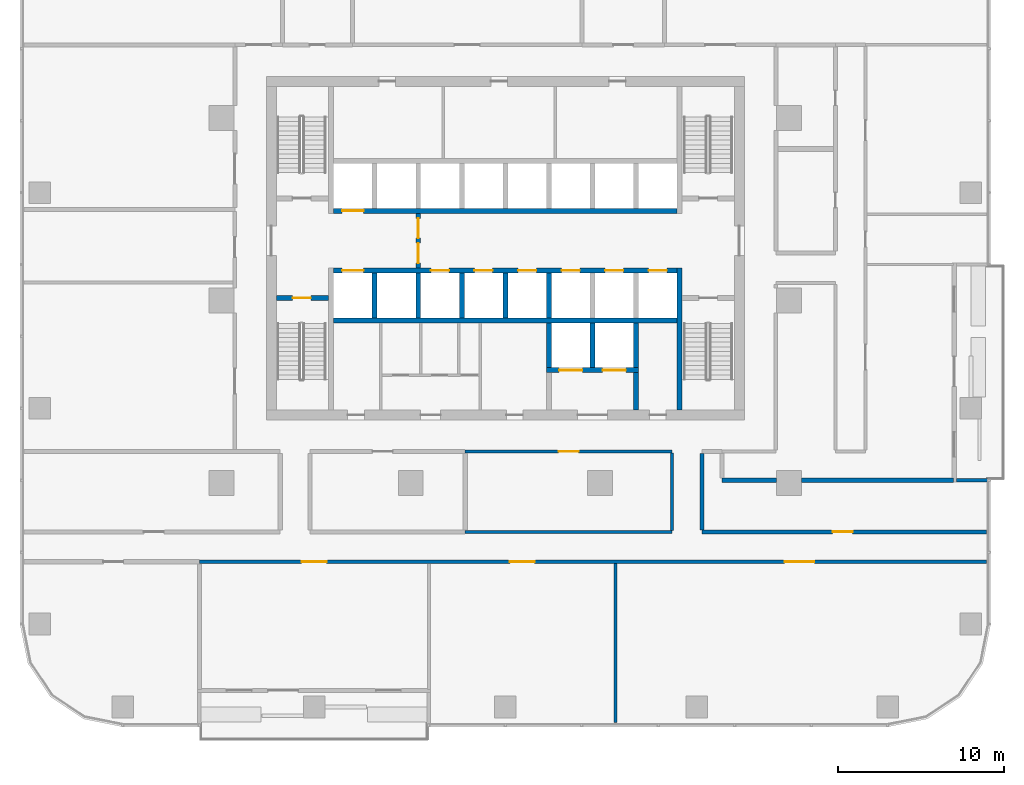
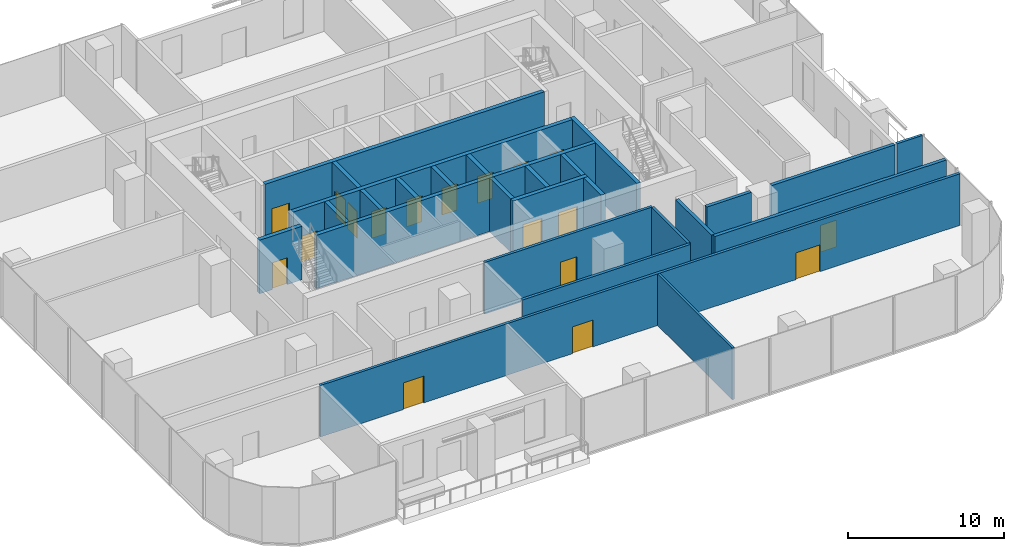
# One storey, part 8 of 14: 26 walls, 18 doors, 18 openings.
"""IFC4 building model written with IfcOpenShell, lengths in metres."""

from ifc_helpers import new_model, si_unit, direction, frame, frame_2d, origin, place, context, subcontext, project, spatial, rectangle, extrude, material, layer, layer_set, type_object, element, fill, save


model = new_model("IFC4")

# Units and contexts
model_context = context("Model", 3, precision=1e-05, world=origin(), true_north=direction((0.0, 1.0)))
body_context = subcontext(model_context, "Body", "Model", "MODEL_VIEW")
ifc_project = project(units=[si_unit("LENGTHUNIT", "METRE"), si_unit("AREAUNIT", "SQUARE_METRE"), si_unit("VOLUMEUNIT", "CUBIC_METRE"), si_unit("PLANEANGLEUNIT", "RADIAN"), si_unit("MASSUNIT", "GRAM", prefix="KILO")], contexts=[model_context])

# Site, building, storey
site_placement = place(None, origin())
site = spatial("IfcSite", under=ifc_project, at=site_placement, CompositionType="ELEMENT")
building_placement = place(site_placement, origin())
building = spatial("IfcBuilding", under=site, at=building_placement, Name="Mopane Tessera Tower", CompositionType="ELEMENT")
storey_placement = place(building_placement, frame((0.0, 0.0, 139.60009765625)))
storey = spatial("IfcBuildingStorey", under=building, at=storey_placement, Name="L28", CompositionType="ELEMENT", Elevation=139.60009765625)

# Walls
ifc_material_1 = material(Name="Concrete C60/75", Category="concrete")
ifc_layer_1 = layer(ifc_material_1, 0.300048828125)
ifc_layer_set_1 = layer_set([ifc_layer_1], Name="Concrete C60/75")
wall_type_1 = type_object("IfcWallType", Name="Core spine wall 300 mm", PredefinedType="SHEAR", material=ifc_layer_set_1)
wall_1_placement = place(storey_placement, frame((10.5, -6.60009765625, 0.0), z_axis=(0.0, 0.0, 1.0), x_axis=(0.0, 1.0, 0.0)))
element("IfcWall", 1, at=wall_1_placement, inside=storey, type_object=wall_type_1, Name="L28 Core spine wall", PredefinedType="SHEAR", context=body_context, shape_type="SweptSolid", body=[
    extrude(rectangle(XDim=8.550048828125, YDim=0.300048828125, at=frame_2d((4.27490234375, 0.0))), origin(), (0.0, 0.0, 1.0), 4.199951171875),
])
ifc_material_2 = material(Name="Gypsum board on staggered steel studs, double layer each face, acoustic mineral wool infill", Category="steel")
ifc_layer_2 = layer(ifc_material_2, 0.175048828125)
ifc_layer_set_2 = layer_set([ifc_layer_2], Name="Gypsum board on staggered steel studs, double layer each face, acoustic mineral wool infill")
wall_type_2 = type_object("IfcWallType", Name="Gypsum board acoustic partition 175, rated EI 60", PredefinedType="PARTITIONING", material=ifc_layer_set_2)
wall_2_placement = place(storey_placement, frame((6.64501953125, -25.449951171875, 0.0), z_axis=(0.0, 0.0, 1.0), x_axis=(0.0, 1.0, 0.0)))
element("IfcWall", 2, at=wall_2_placement, inside=storey, type_object=wall_type_2, Name="Partition L28:042", PredefinedType="PARTITIONING", context=body_context, shape_type="SweptSolid", body=[
    extrude(rectangle(XDim=9.599853515625, YDim=0.175048828125, at=frame_2d((4.7998046875, 0.0))), origin(), (0.0, 0.0, 1.0), 4.0498046875),
])

# Wall, openings, doors
ifc_material_3 = material(Name="Gypsum board on steel studs, two layers each face, mineral wool infill", Category="steel")
ifc_layer_3 = layer(ifc_material_3, 0.199951171875)
ifc_layer_set_3 = layer_set([ifc_layer_3], Name="Gypsum board on steel studs, two layers each face, mineral wool infill")
wall_type_3 = type_object("IfcWallType", Name="Gypsum board corridor wall 200, rated EI 60", PredefinedType="PARTITIONING", material=ifc_layer_set_3)
wall_3_placement = place(storey_placement, frame((-18.43994140625, -15.75, 0.0), z_axis=(0.0, 0.0, 1.0), x_axis=(1.0, 0.0, 0.0)))
wall_3 = element("IfcWall", 3, at=wall_3_placement, inside=storey, type_object=wall_type_3, Name="Partition L28:000", PredefinedType="PARTITIONING", context=body_context, shape_type="SweptSolid", body=[
    extrude(rectangle(XDim=47.43994140625, YDim=0.199951171875, at=frame_2d((23.719970703125, 0.0))), origin(), (0.0, 0.0, 1.0), 4.0498046875),
])
opening_1_placement = place(wall_3_placement, frame((18.70751953125, 0.0, 0.0)))
opening_1 = element("IfcOpeningElement", 4, at=opening_1_placement, cuts=wall_3, Name="Opening L28-03", PredefinedType="OPENING", context=body_context, shape_type="SweptSolid", body=[
    extrude(rectangle(XDim=1.5, YDim=2.10009765625, at=frame_2d((0.75, 1.050048828125))), frame((0.0, 0.112060546875, 0.0), z_axis=(0.0, -1.0, 0.0), x_axis=(1.0, 0.0, 0.0)), (0.0, 0.0, 1.0), 0.223876953125),
])
opening_2_placement = place(wall_3_placement, frame((6.1650390625, 0.0, 0.0)))
opening_2 = element("IfcOpeningElement", 5, at=opening_2_placement, cuts=wall_3, Name="Opening L28-12", PredefinedType="OPENING", context=body_context, shape_type="SweptSolid", body=[
    extrude(rectangle(XDim=1.5, YDim=2.10009765625, at=frame_2d((0.75, 1.050048828125))), frame((0.0, 0.112060546875, 0.0), z_axis=(0.0, -1.0, 0.0), x_axis=(1.0, 0.0, 0.0)), (0.0, 0.0, 1.0), 0.223876953125),
])
opening_3_placement = place(wall_3_placement, frame((35.262451171875, 0.0, 0.0)))
opening_3 = element("IfcOpeningElement", 6, at=opening_3_placement, cuts=wall_3, Name="Opening L28-20", PredefinedType="OPENING", context=body_context, shape_type="SweptSolid", body=[
    extrude(rectangle(XDim=1.800048828125, YDim=2.10009765625, at=frame_2d((0.89990234375, 1.050048828125))), frame((0.0, 0.112060546875, 0.0), z_axis=(0.0, -1.0, 0.0), x_axis=(1.0, 0.0, 0.0)), (0.0, 0.0, 1.0), 0.223876953125),
])
ifc_material_4 = material(Name="Timber veneered steel-framed fire door", Category="steel")
door_type_1 = type_object("IfcDoorType", Name="Fire door pair FD60 1500 x 2100", OperationType="DOUBLE_DOOR_SINGLE_SWING", PredefinedType="DOOR", material=ifc_material_4)
door_1_placement = place(opening_1_placement, origin())
door_1 = element("IfcDoor", 7, at=door_1_placement, inside=storey, type_object=door_type_1, Name="Door L28-03", ObjectType="D17A", OperationType="DOUBLE_DOOR_SINGLE_SWING", OverallHeight=2.10009765625, OverallWidth=1.5, PredefinedType="DOOR", context=body_context, shape_type="SweptSolid", body=[
    extrude(rectangle(XDim=1.5, YDim=2.10009765625, at=frame_2d((0.75, 1.050048828125))), frame((0.0, 0.02490234375, 0.0), z_axis=(0.0, -1.0, 0.0), x_axis=(1.0, 0.0, 0.0)), (0.0, 0.0, 1.0), 0.050048828125),
])
fill(opening_1, door_1)
door_2_placement = place(opening_2_placement, origin())
door_2 = element("IfcDoor", 8, at=door_2_placement, inside=storey, type_object=door_type_1, Name="Door L28-12", ObjectType="D17A", OperationType="DOUBLE_DOOR_SINGLE_SWING", OverallHeight=2.10009765625, OverallWidth=1.5, PredefinedType="DOOR", context=body_context, shape_type="SweptSolid", body=[
    extrude(rectangle(XDim=1.5, YDim=2.10009765625, at=frame_2d((0.75, 1.050048828125))), frame((0.0, 0.02490234375, 0.0), z_axis=(0.0, -1.0, 0.0), x_axis=(1.0, 0.0, 0.0)), (0.0, 0.0, 1.0), 0.050048828125),
])
fill(opening_2, door_2)
ifc_material_5 = material(Name="Timber veneered steel-framed fire door", Category="steel")
door_type_2 = type_object("IfcDoorType", Name="Fire door pair FD60 1800 x 2100", OperationType="DOUBLE_DOOR_SINGLE_SWING", PredefinedType="DOOR", material=ifc_material_5)
door_3_placement = place(opening_3_placement, origin())
door_3 = element("IfcDoor", 9, at=door_3_placement, inside=storey, type_object=door_type_2, Name="Door L28-20", ObjectType="D20A", OperationType="DOUBLE_DOOR_SINGLE_SWING", OverallHeight=2.10009765625, OverallWidth=1.800048828125, PredefinedType="DOOR", context=body_context, shape_type="SweptSolid", body=[
    extrude(rectangle(XDim=1.800048828125, YDim=2.10009765625, at=frame_2d((0.89990234375, 1.050048828125))), frame((0.0, 0.02490234375, 0.0), z_axis=(0.0, -1.0, 0.0), x_axis=(1.0, 0.0, 0.0)), (0.0, 0.0, 1.0), 0.050048828125),
])
fill(opening_3, door_3)

# Wall
wall_4_placement = place(storey_placement, frame((-2.419921875, -13.949951171875, 0.0), z_axis=(0.0, 0.0, 1.0), x_axis=(1.0, 0.0, 0.0)))
element("IfcWall", 10, at=wall_4_placement, inside=storey, type_object=wall_type_3, Name="Partition L28:002", PredefinedType="PARTITIONING", context=body_context, shape_type="SweptSolid", body=[
    extrude(rectangle(XDim=12.46484375, YDim=0.199951171875, at=frame_2d((6.232421875, 0.0))), origin(), (0.0, 0.0, 1.0), 4.0498046875),
])

# Wall, opening, door
wall_5_placement = place(storey_placement, frame((-2.419921875, -9.10009765625, 0.0), z_axis=(0.0, 0.0, 1.0), x_axis=(1.0, 0.0, 0.0)))
wall_5 = element("IfcWall", 11, at=wall_5_placement, inside=storey, type_object=wall_type_3, Name="Partition L28:008", PredefinedType="PARTITIONING", context=body_context, shape_type="SweptSolid", body=[
    extrude(rectangle(XDim=12.46484375, YDim=0.199951171875, at=frame_2d((6.232421875, 0.0))), origin(), (0.0, 0.0, 1.0), 4.0498046875),
])
opening_4_placement = place(wall_5_placement, frame((5.632568359375, 0.0, 0.0)))
opening_4 = element("IfcOpeningElement", 12, at=opening_4_placement, cuts=wall_5, Name="Opening L28-18", PredefinedType="OPENING", context=body_context, shape_type="SweptSolid", body=[
    extrude(rectangle(XDim=1.199951171875, YDim=2.10009765625, at=frame_2d((0.60009765625, 1.050048828125))), frame((0.0, 0.112060546875, 0.0), z_axis=(0.0, -1.0, 0.0), x_axis=(1.0, 0.0, 0.0)), (0.0, 0.0, 1.0), 0.223876953125),
])
ifc_material_6 = material(Name="Timber veneered steel-framed fire door", Category="steel")
door_type_3 = type_object("IfcDoorType", Name="Fire door FD60 1200 x 2100", OperationType="SINGLE_SWING_LEFT", PredefinedType="DOOR", material=ifc_material_6)
door_4_placement = place(opening_4_placement, origin())
door_4 = element("IfcDoor", 13, at=door_4_placement, inside=storey, type_object=door_type_3, Name="Door L28-18", ObjectType="D15A", OperationType="SINGLE_SWING_RIGHT", OverallHeight=2.10009765625, OverallWidth=1.199951171875, PredefinedType="DOOR", context=body_context, shape_type="SweptSolid", body=[
    extrude(rectangle(XDim=1.199951171875, YDim=2.10009765625, at=frame_2d((0.60009765625, 1.050048828125))), frame((0.0, 0.02490234375, 0.0), z_axis=(0.0, -1.0, 0.0), x_axis=(1.0, 0.0, 0.0)), (0.0, 0.0, 1.0), 0.050048828125),
])
fill(opening_4, door_4)

# Wall
wall_6_placement = place(storey_placement, frame((10.044921875, -13.85009765625, 0.0), z_axis=(0.0, 0.0, 1.0), x_axis=(0.0, 1.0, 0.0)))
element("IfcWall", 14, at=wall_6_placement, inside=storey, type_object=wall_type_3, Name="Partition L28:044", PredefinedType="PARTITIONING", context=body_context, shape_type="SweptSolid", body=[
    extrude(rectangle(XDim=4.650146484375, YDim=0.199951171875, at=frame_2d((2.3251953125, 0.0))), origin(), (0.0, 0.0, 1.0), 4.0498046875),
])

# Wall, opening, door
ifc_material_7 = material(Name="Concrete C50/60", Category="concrete")
ifc_layer_4 = layer(ifc_material_7, 0.300048828125)
ifc_layer_set_4 = layer_set([ifc_layer_4], Name="Concrete C50/60")
wall_type_4 = type_object("IfcWallType", Name="Lift and stair shaft wall 300 mm", PredefinedType="SOLIDWALL", material=ifc_layer_set_4)
wall_7_placement = place(storey_placement, frame((-13.800048828125, 0.14990234375, 0.0), z_axis=(0.0, 0.0, 1.0), x_axis=(1.0, 0.0, 0.0)))
wall_7 = element("IfcWall", 15, at=wall_7_placement, inside=storey, type_object=wall_type_4, Name="L28 Stair enclosure wall", PredefinedType="SOLIDWALL", context=body_context, shape_type="SweptSolid", body=[
    extrude(rectangle(XDim=3.150146484375, YDim=0.300048828125, at=frame_2d((1.5751953125, 0.0))), origin(), (0.0, 0.0, 1.0), 4.199951171875),
])
opening_5_placement = place(wall_7_placement, frame((0.97509765625, 0.0, 0.0)))
opening_5 = element("IfcOpeningElement", 16, at=opening_5_placement, cuts=wall_7, Name="Opening SD1", PredefinedType="OPENING", context=body_context, shape_type="SweptSolid", body=[
    extrude(rectangle(XDim=1.10009765625, YDim=2.10009765625, at=frame_2d((0.550048828125, 1.050048828125))), frame((0.0, 0.162109375, 0.0), z_axis=(0.0, -1.0, 0.0), x_axis=(1.0, 0.0, 0.0)), (0.0, 0.0, 1.0), 0.323974609375),
])
ifc_material_8 = material(Name="Steel fire door", Category="steel")
door_type_4 = type_object("IfcDoorType", Name="Stair fire door 1100 x 2100", OperationType="SINGLE_SWING_LEFT", PredefinedType="DOOR", material=ifc_material_8)
door_5_placement = place(opening_5_placement, origin())
door_5 = element("IfcDoor", 17, at=door_5_placement, inside=storey, type_object=door_type_4, Name="L28 Stair door ST1", OperationType="SINGLE_SWING_LEFT", OverallHeight=2.10009765625, OverallWidth=1.10009765625, PredefinedType="DOOR", context=body_context, shape_type="SweptSolid", body=[
    extrude(rectangle(XDim=1.10009765625, YDim=2.10009765625, at=frame_2d((0.550048828125, 1.050048828125))), frame((0.0, 0.02490234375, 0.0), z_axis=(0.0, -1.0, 0.0), x_axis=(1.0, 0.0, 0.0)), (0.0, 0.0, 1.0), 0.050048828125),
])
fill(opening_5, door_5)

# Wall
wall_8_placement = place(storey_placement, frame((-10.35009765625, -1.199951171875, 0.0), z_axis=(0.0, 0.0, 1.0), x_axis=(1.0, 0.0, 0.0)))
element("IfcWall", 18, at=wall_8_placement, inside=storey, type_object=wall_type_4, Name="L28 Lift shaft rear wall", PredefinedType="SOLIDWALL", context=body_context, shape_type="SweptSolid", body=[
    extrude(rectangle(XDim=20.7001953125, YDim=0.300048828125, at=frame_2d((10.35009765625, 0.0))), origin(), (0.0, 0.0, 1.0), 4.199951171875),
])

# Wall, openings, doors
wall_9_placement = place(storey_placement, frame((-10.35009765625, 1.800048828125, 0.0), z_axis=(0.0, 0.0, 1.0), x_axis=(1.0, 0.0, 0.0)))
wall_9 = element("IfcWall", 19, at=wall_9_placement, inside=storey, type_object=wall_type_4, Name="L28 Lift shaft front wall", PredefinedType="SOLIDWALL", context=body_context, shape_type="SweptSolid", body=[
    extrude(rectangle(XDim=20.7001953125, YDim=0.300048828125, at=frame_2d((10.35009765625, 0.0))), origin(), (0.0, 0.0, 1.0), 4.199951171875),
])
opening_6_placement = place(wall_9_placement, frame((0.512451171875, 0.0, 0.0)))
opening_6 = element("IfcOpeningElement", 20, at=opening_6_placement, cuts=wall_9, Name="Opening LD2", PredefinedType="OPENING", context=body_context, shape_type="SweptSolid", body=[
    extrude(rectangle(XDim=1.300048828125, YDim=2.10009765625, at=frame_2d((0.64990234375, 1.050048828125))), frame((0.0, 0.162109375, 0.0), z_axis=(0.0, -1.0, 0.0), x_axis=(1.0, 0.0, 0.0)), (0.0, 0.0, 1.0), 0.323974609375),
])
opening_7_placement = place(wall_9_placement, frame((5.862548828125, 0.0, 0.0)))
opening_7 = element("IfcOpeningElement", 21, at=opening_7_placement, cuts=wall_9, Name="Opening LD", PredefinedType="OPENING", context=body_context, shape_type="SweptSolid", body=[
    extrude(rectangle(XDim=1.10009765625, YDim=2.10009765625, at=frame_2d((0.550048828125, 1.050048828125))), frame((0.0, 0.162109375, 0.0), z_axis=(0.0, -1.0, 0.0), x_axis=(1.0, 0.0, 0.0)), (0.0, 0.0, 1.0), 0.323974609375),
])
opening_8_placement = place(wall_9_placement, frame((8.487548828125, 0.0, 0.0)))
opening_8 = element("IfcOpeningElement", 22, at=opening_8_placement, cuts=wall_9, Name="Opening LD", PredefinedType="OPENING", context=body_context, shape_type="SweptSolid", body=[
    extrude(rectangle(XDim=1.10009765625, YDim=2.10009765625, at=frame_2d((0.550048828125, 1.050048828125))), frame((0.0, 0.162109375, 0.0), z_axis=(0.0, -1.0, 0.0), x_axis=(1.0, 0.0, 0.0)), (0.0, 0.0, 1.0), 0.323974609375),
])
opening_9_placement = place(wall_9_placement, frame((11.112548828125, 0.0, 0.0)))
opening_9 = element("IfcOpeningElement", 23, at=opening_9_placement, cuts=wall_9, Name="Opening LD", PredefinedType="OPENING", context=body_context, shape_type="SweptSolid", body=[
    extrude(rectangle(XDim=1.10009765625, YDim=2.10009765625, at=frame_2d((0.550048828125, 1.050048828125))), frame((0.0, 0.162109375, 0.0), z_axis=(0.0, -1.0, 0.0), x_axis=(1.0, 0.0, 0.0)), (0.0, 0.0, 1.0), 0.323974609375),
])
opening_10_placement = place(wall_9_placement, frame((13.737548828125, 0.0, 0.0)))
opening_10 = element("IfcOpeningElement", 24, at=opening_10_placement, cuts=wall_9, Name="Opening LD", PredefinedType="OPENING", context=body_context, shape_type="SweptSolid", body=[
    extrude(rectangle(XDim=1.10009765625, YDim=2.10009765625, at=frame_2d((0.550048828125, 1.050048828125))), frame((0.0, 0.162109375, 0.0), z_axis=(0.0, -1.0, 0.0), x_axis=(1.0, 0.0, 0.0)), (0.0, 0.0, 1.0), 0.323974609375),
])
opening_11_placement = place(wall_9_placement, frame((16.362548828125, 0.0, 0.0)))
opening_11 = element("IfcOpeningElement", 25, at=opening_11_placement, cuts=wall_9, Name="Opening LD", PredefinedType="OPENING", context=body_context, shape_type="SweptSolid", body=[
    extrude(rectangle(XDim=1.10009765625, YDim=2.10009765625, at=frame_2d((0.550048828125, 1.050048828125))), frame((0.0, 0.162109375, 0.0), z_axis=(0.0, -1.0, 0.0), x_axis=(1.0, 0.0, 0.0)), (0.0, 0.0, 1.0), 0.323974609375),
])
opening_12_placement = place(wall_9_placement, frame((18.987548828125, 0.0, 0.0)))
opening_12 = element("IfcOpeningElement", 26, at=opening_12_placement, cuts=wall_9, Name="Opening LD", PredefinedType="OPENING", context=body_context, shape_type="SweptSolid", body=[
    extrude(rectangle(XDim=1.10009765625, YDim=2.10009765625, at=frame_2d((0.550048828125, 1.050048828125))), frame((0.0, 0.162109375, 0.0), z_axis=(0.0, -1.0, 0.0), x_axis=(1.0, 0.0, 0.0)), (0.0, 0.0, 1.0), 0.323974609375),
])
ifc_material_9 = material(Name="Stainless steel sliding door", Category="steel")
door_type_5 = type_object("IfcDoorType", Name="Fire-fighting lift landing door 1300 x 2100", OperationType="DOUBLE_DOOR_SLIDING", PredefinedType="DOOR", material=ifc_material_9)
door_6_placement = place(opening_6_placement, origin())
door_6 = element("IfcDoor", 27, at=door_6_placement, inside=storey, type_object=door_type_5, Name="L28 Lift landing door FF1", OperationType="DOUBLE_DOOR_SLIDING", OverallHeight=2.10009765625, OverallWidth=1.300048828125, PredefinedType="DOOR", context=body_context, shape_type="SweptSolid", body=[
    extrude(rectangle(XDim=1.300048828125, YDim=2.10009765625, at=frame_2d((0.64990234375, 1.050048828125))), frame((0.0, 0.02490234375, 0.0), z_axis=(0.0, -1.0, 0.0), x_axis=(1.0, 0.0, 0.0)), (0.0, 0.0, 1.0), 0.050048828125),
])
fill(opening_6, door_6)
ifc_material_10 = material(Name="Stainless steel sliding door", Category="steel")
door_type_6 = type_object("IfcDoorType", Name="Lift landing door 1100 x 2100", OperationType="DOUBLE_DOOR_SLIDING", PredefinedType="DOOR", material=ifc_material_10)
door_7_placement = place(opening_7_placement, origin())
door_7 = element("IfcDoor", 28, at=door_7_placement, inside=storey, type_object=door_type_6, Name="L28 Lift landing door LR1", OperationType="DOUBLE_DOOR_SLIDING", OverallHeight=2.10009765625, OverallWidth=1.10009765625, PredefinedType="DOOR", context=body_context, shape_type="SweptSolid", body=[
    extrude(rectangle(XDim=1.10009765625, YDim=2.10009765625, at=frame_2d((0.550048828125, 1.050048828125))), frame((0.0, 0.02490234375, 0.0), z_axis=(0.0, -1.0, 0.0), x_axis=(1.0, 0.0, 0.0)), (0.0, 0.0, 1.0), 0.050048828125),
])
fill(opening_7, door_7)
door_8_placement = place(opening_8_placement, origin())
door_8 = element("IfcDoor", 29, at=door_8_placement, inside=storey, type_object=door_type_6, Name="L28 Lift landing door LR2", OperationType="DOUBLE_DOOR_SLIDING", OverallHeight=2.10009765625, OverallWidth=1.10009765625, PredefinedType="DOOR", context=body_context, shape_type="SweptSolid", body=[
    extrude(rectangle(XDim=1.10009765625, YDim=2.10009765625, at=frame_2d((0.550048828125, 1.050048828125))), frame((0.0, 0.02490234375, 0.0), z_axis=(0.0, -1.0, 0.0), x_axis=(1.0, 0.0, 0.0)), (0.0, 0.0, 1.0), 0.050048828125),
])
fill(opening_8, door_8)
door_9_placement = place(opening_9_placement, origin())
door_9 = element("IfcDoor", 30, at=door_9_placement, inside=storey, type_object=door_type_6, Name="L28 Lift landing door LR3", OperationType="DOUBLE_DOOR_SLIDING", OverallHeight=2.10009765625, OverallWidth=1.10009765625, PredefinedType="DOOR", context=body_context, shape_type="SweptSolid", body=[
    extrude(rectangle(XDim=1.10009765625, YDim=2.10009765625, at=frame_2d((0.550048828125, 1.050048828125))), frame((0.0, 0.02490234375, 0.0), z_axis=(0.0, -1.0, 0.0), x_axis=(1.0, 0.0, 0.0)), (0.0, 0.0, 1.0), 0.050048828125),
])
fill(opening_9, door_9)
door_10_placement = place(opening_10_placement, origin())
door_10 = element("IfcDoor", 31, at=door_10_placement, inside=storey, type_object=door_type_6, Name="L28 Lift landing door LR4", OperationType="DOUBLE_DOOR_SLIDING", OverallHeight=2.10009765625, OverallWidth=1.10009765625, PredefinedType="DOOR", context=body_context, shape_type="SweptSolid", body=[
    extrude(rectangle(XDim=1.10009765625, YDim=2.10009765625, at=frame_2d((0.550048828125, 1.050048828125))), frame((0.0, 0.02490234375, 0.0), z_axis=(0.0, -1.0, 0.0), x_axis=(1.0, 0.0, 0.0)), (0.0, 0.0, 1.0), 0.050048828125),
])
fill(opening_10, door_10)
door_11_placement = place(opening_11_placement, origin())
door_11 = element("IfcDoor", 32, at=door_11_placement, inside=storey, type_object=door_type_6, Name="L28 Lift landing door LR5", OperationType="DOUBLE_DOOR_SLIDING", OverallHeight=2.10009765625, OverallWidth=1.10009765625, PredefinedType="DOOR", context=body_context, shape_type="SweptSolid", body=[
    extrude(rectangle(XDim=1.10009765625, YDim=2.10009765625, at=frame_2d((0.550048828125, 1.050048828125))), frame((0.0, 0.02490234375, 0.0), z_axis=(0.0, -1.0, 0.0), x_axis=(1.0, 0.0, 0.0)), (0.0, 0.0, 1.0), 0.050048828125),
])
fill(opening_11, door_11)
door_12_placement = place(opening_12_placement, origin())
door_12 = element("IfcDoor", 33, at=door_12_placement, inside=storey, type_object=door_type_6, Name="L28 Lift landing door LR6", OperationType="DOUBLE_DOOR_SLIDING", OverallHeight=2.10009765625, OverallWidth=1.10009765625, PredefinedType="DOOR", context=body_context, shape_type="SweptSolid", body=[
    extrude(rectangle(XDim=1.10009765625, YDim=2.10009765625, at=frame_2d((0.550048828125, 1.050048828125))), frame((0.0, 0.02490234375, 0.0), z_axis=(0.0, -1.0, 0.0), x_axis=(1.0, 0.0, 0.0)), (0.0, 0.0, 1.0), 0.050048828125),
])
fill(opening_12, door_12)

# Wall, opening, door
wall_10_placement = place(storey_placement, frame((-10.35009765625, 5.39990234375, 0.0), z_axis=(0.0, 0.0, 1.0), x_axis=(1.0, 0.0, 0.0)))
wall_10 = element("IfcWall", 34, at=wall_10_placement, inside=storey, type_object=wall_type_4, Name="L28 Lift shaft front wall", PredefinedType="SOLIDWALL", context=body_context, shape_type="SweptSolid", body=[
    extrude(rectangle(XDim=20.7001953125, YDim=0.300048828125, at=frame_2d((10.35009765625, 0.0))), origin(), (0.0, 0.0, 1.0), 4.199951171875),
])
opening_13_placement = place(wall_10_placement, frame((0.512451171875, 0.0, 0.0)))
opening_13 = element("IfcOpeningElement", 35, at=opening_13_placement, cuts=wall_10, Name="Opening LD2", PredefinedType="OPENING", context=body_context, shape_type="SweptSolid", body=[
    extrude(rectangle(XDim=1.300048828125, YDim=2.10009765625, at=frame_2d((0.64990234375, 1.050048828125))), frame((0.0, 0.162109375, 0.0), z_axis=(0.0, -1.0, 0.0), x_axis=(1.0, 0.0, 0.0)), (0.0, 0.0, 1.0), 0.323974609375),
])
door_13_placement = place(opening_13_placement, origin())
door_13 = element("IfcDoor", 36, at=door_13_placement, inside=storey, type_object=door_type_5, Name="L28 Lift landing door FF2", OperationType="DOUBLE_DOOR_SLIDING", OverallHeight=2.10009765625, OverallWidth=1.300048828125, PredefinedType="DOOR", context=body_context, shape_type="SweptSolid", body=[
    extrude(rectangle(XDim=1.300048828125, YDim=2.10009765625, at=frame_2d((0.64990234375, 1.050048828125))), frame((0.0, 0.02490234375, 0.0), z_axis=(0.0, -1.0, 0.0), x_axis=(1.0, 0.0, 0.0)), (0.0, 0.0, 1.0), 0.050048828125),
])
fill(opening_13, door_13)

# Walls
for number, where, z_axis, x_axis, name in (
    (37, (-7.875, -1.050048828125, 0.0), (0.0, 0.0, 1.0), (0.0, 1.0, 0.0), "L28 Lift shaft wall"),
    (38, (-5.25, -1.050048828125, 0.0), (0.0, 0.0, 1.0), (0.0, 1.0, 0.0), "L28 Lift shaft wall"),
    (39, (-2.625, -1.050048828125, 0.0), (0.0, 0.0, 1.0), (0.0, 1.0, 0.0), "L28 Lift shaft wall"),
    (40, (0.0, -1.050048828125, 0.0), (0.0, 0.0, 1.0), (0.0, 1.0, 0.0), "L28 Lift shaft wall"),
    (41, (2.625, -1.050048828125, 0.0), (0.0, 0.0, 1.0), (0.0, 1.0, 0.0), "L28 Lift shaft wall"),
):
    element("IfcWall", number, at=place(storey_placement, frame(where, z_axis=z_axis, x_axis=x_axis)), inside=storey, type_object=wall_type_4, Name=name, PredefinedType="SOLIDWALL", context=body_context, shape_type="SweptSolid", body=[
        extrude(rectangle(XDim=2.699951171875, YDim=0.300048828125, at=frame_2d((1.35009765625, 0.0))), origin(), (0.0, 0.0, 1.0), 4.199951171875),
    ])

# Wall, openings, doors
wall_11_placement = place(storey_placement, frame((2.47509765625, -4.199951171875, 0.0), z_axis=(0.0, 0.0, 1.0), x_axis=(1.0, 0.0, 0.0)))
wall_11 = element("IfcWall", 42, at=wall_11_placement, inside=storey, type_object=wall_type_4, Name="L28 Lift shaft front wall", PredefinedType="SOLIDWALL", context=body_context, shape_type="SweptSolid", body=[
    extrude(rectangle(XDim=5.5498046875, YDim=0.300048828125, at=frame_2d((2.77490234375, 0.0))), origin(), (0.0, 0.0, 1.0), 4.199951171875),
])
opening_14_placement = place(wall_11_placement, frame((0.762451171875, 0.0, 0.0)))
opening_14 = element("IfcOpeningElement", 43, at=opening_14_placement, cuts=wall_11, Name="Opening LD3", PredefinedType="OPENING", context=body_context, shape_type="SweptSolid", body=[
    extrude(rectangle(XDim=1.39990234375, YDim=2.10009765625, at=frame_2d((0.699951171875, 1.050048828125))), frame((0.0, 0.162109375, 0.0), z_axis=(0.0, -1.0, 0.0), x_axis=(1.0, 0.0, 0.0)), (0.0, 0.0, 1.0), 0.323974609375),
])
opening_15_placement = place(wall_11_placement, frame((3.387451171875, 0.0, 0.0)))
opening_15 = element("IfcOpeningElement", 44, at=opening_15_placement, cuts=wall_11, Name="Opening LD3", PredefinedType="OPENING", context=body_context, shape_type="SweptSolid", body=[
    extrude(rectangle(XDim=1.39990234375, YDim=2.10009765625, at=frame_2d((0.699951171875, 1.050048828125))), frame((0.0, 0.162109375, 0.0), z_axis=(0.0, -1.0, 0.0), x_axis=(1.0, 0.0, 0.0)), (0.0, 0.0, 1.0), 0.323974609375),
])
ifc_material_11 = material(Name="Stainless steel sliding door", Category="steel")
door_type_7 = type_object("IfcDoorType", Name="Service lift landing door 1400 x 2100", OperationType="DOUBLE_DOOR_SLIDING", PredefinedType="DOOR", material=ifc_material_11)
door_14_placement = place(opening_14_placement, origin())
door_14 = element("IfcDoor", 45, at=door_14_placement, inside=storey, type_object=door_type_7, Name="L28 Lift landing door SV1", OperationType="DOUBLE_DOOR_SLIDING", OverallHeight=2.10009765625, OverallWidth=1.39990234375, PredefinedType="DOOR", context=body_context, shape_type="SweptSolid", body=[
    extrude(rectangle(XDim=1.39990234375, YDim=2.10009765625, at=frame_2d((0.699951171875, 1.050048828125))), frame((0.0, 0.02490234375, 0.0), z_axis=(0.0, -1.0, 0.0), x_axis=(1.0, 0.0, 0.0)), (0.0, 0.0, 1.0), 0.050048828125),
])
fill(opening_14, door_14)
door_15_placement = place(opening_15_placement, origin())
door_15 = element("IfcDoor", 46, at=door_15_placement, inside=storey, type_object=door_type_7, Name="L28 Lift landing door SV2", OperationType="DOUBLE_DOOR_SLIDING", OverallHeight=2.10009765625, OverallWidth=1.39990234375, PredefinedType="DOOR", context=body_context, shape_type="SweptSolid", body=[
    extrude(rectangle(XDim=1.39990234375, YDim=2.10009765625, at=frame_2d((0.699951171875, 1.050048828125))), frame((0.0, 0.02490234375, 0.0), z_axis=(0.0, -1.0, 0.0), x_axis=(1.0, 0.0, 0.0)), (0.0, 0.0, 1.0), 0.050048828125),
])
fill(opening_15, door_15)

# Walls
for number, where, z_axis, x_axis, name in (
    (47, (2.625, -4.050048828125, 0.0), (0.0, 0.0, 1.0), (0.0, 1.0, 0.0), "L28 Lift shaft wall"),
    (48, (5.25, -4.050048828125, 0.0), (0.0, 0.0, 1.0), (0.0, 1.0, 0.0), "L28 Lift shaft wall"),
    (49, (7.875, -4.050048828125, 0.0), (0.0, 0.0, 1.0), (0.0, 1.0, 0.0), "L28 Lift shaft wall"),
):
    element("IfcWall", number, at=place(storey_placement, frame(where, z_axis=z_axis, x_axis=x_axis)), inside=storey, type_object=wall_type_4, Name=name, PredefinedType="SOLIDWALL", context=body_context, shape_type="SweptSolid", body=[
        extrude(rectangle(XDim=2.699951171875, YDim=0.300048828125, at=frame_2d((1.35009765625, 0.0))), origin(), (0.0, 0.0, 1.0), 4.199951171875),
    ])

# Wall, openings, doors
ifc_material_12 = material(Name="Concrete C50/60", Category="concrete")
ifc_layer_5 = layer(ifc_material_12, 0.300048828125)
ifc_layer_set_5 = layer_set([ifc_layer_5], Name="Concrete C50/60")
wall_type_5 = type_object("IfcWallType", Name="Lobby and refuge room wall 300 mm", PredefinedType="SOLIDWALL", material=ifc_layer_set_5)
wall_12_placement = place(storey_placement, frame((-5.25, 1.949951171875, 0.0), z_axis=(0.0, 0.0, 1.0), x_axis=(0.0, 1.0, 0.0)))
wall_12 = element("IfcWall", 50, at=wall_12_placement, inside=storey, type_object=wall_type_5, Name="L28 Fire-fighting lobby wall", PredefinedType="SOLIDWALL", context=body_context, shape_type="SweptSolid", body=[
    extrude(rectangle(XDim=3.300048828125, YDim=0.300048828125, at=frame_2d((1.64990234375, 0.0))), origin(), (0.0, 0.0, 1.0), 4.199951171875),
])
opening_16_placement = place(wall_12_placement, frame((0.300048828125, 0.0, 0.0)))
opening_16 = element("IfcOpeningElement", 51, at=opening_16_placement, cuts=wall_12, Name="Opening SD3", PredefinedType="OPENING", context=body_context, shape_type="SweptSolid", body=[
    extrude(rectangle(XDim=1.199951171875, YDim=2.10009765625, at=frame_2d((0.60009765625, 1.050048828125))), frame((0.0, 0.162109375, 0.0), z_axis=(0.0, -1.0, 0.0), x_axis=(1.0, 0.0, 0.0)), (0.0, 0.0, 1.0), 0.323974609375),
])
opening_17_placement = place(wall_12_placement, frame((1.800048828125, 0.0, 0.0)))
opening_17 = element("IfcOpeningElement", 52, at=opening_17_placement, cuts=wall_12, Name="Opening SD3", PredefinedType="OPENING", context=body_context, shape_type="SweptSolid", body=[
    extrude(rectangle(XDim=1.199951171875, YDim=2.10009765625, at=frame_2d((0.60009765625, 1.050048828125))), frame((0.0, 0.162109375, 0.0), z_axis=(0.0, -1.0, 0.0), x_axis=(1.0, 0.0, 0.0)), (0.0, 0.0, 1.0), 0.323974609375),
])
ifc_material_13 = material(Name="Steel fire door", Category="steel")
door_type_8 = type_object("IfcDoorType", Name="Lobby fire door 1200 x 2100", OperationType="SINGLE_SWING_LEFT", PredefinedType="DOOR", material=ifc_material_13)
door_16_placement = place(opening_16_placement, origin())
door_16 = element("IfcDoor", 53, at=door_16_placement, inside=storey, type_object=door_type_8, Name="L28 Fire-fighting lobby door", OperationType="SINGLE_SWING_LEFT", OverallHeight=2.10009765625, OverallWidth=1.199951171875, PredefinedType="DOOR", context=body_context, shape_type="SweptSolid", body=[
    extrude(rectangle(XDim=1.199951171875, YDim=2.10009765625, at=frame_2d((0.60009765625, 1.050048828125))), frame((0.0, 0.02490234375, 0.0), z_axis=(0.0, -1.0, 0.0), x_axis=(1.0, 0.0, 0.0)), (0.0, 0.0, 1.0), 0.050048828125),
])
fill(opening_16, door_16)
door_17_placement = place(opening_17_placement, origin())
door_17 = element("IfcDoor", 54, at=door_17_placement, inside=storey, type_object=door_type_8, Name="L28 Fire-fighting lobby door", OperationType="SINGLE_SWING_RIGHT", OverallHeight=2.10009765625, OverallWidth=1.199951171875, PredefinedType="DOOR", context=body_context, shape_type="SweptSolid", body=[
    extrude(rectangle(XDim=1.199951171875, YDim=2.10009765625, at=frame_2d((0.60009765625, 1.050048828125))), frame((0.0, 0.02490234375, 0.0), z_axis=(0.0, -1.0, 0.0), x_axis=(1.0, 0.0, 0.0)), (0.0, 0.0, 1.0), 0.050048828125),
])
fill(opening_17, door_17)

# Wall
wall_13_placement = place(storey_placement, frame((7.875, -6.60009765625, 0.0), z_axis=(0.0, 0.0, 1.0), x_axis=(0.0, 1.0, 0.0)))
element("IfcWall", 55, at=wall_13_placement, inside=storey, type_object=wall_type_5, Name="L28 Service lobby wall", PredefinedType="SOLIDWALL", context=body_context, shape_type="SweptSolid", body=[
    extrude(rectangle(XDim=2.25, YDim=0.300048828125, at=frame_2d((1.125, 0.0))), origin(), (0.0, 0.0, 1.0), 4.199951171875),
])

# Wall, opening, door
ifc_material_14 = material(Name="Plastered concrete blockwork C20/25", Category="masonry")
ifc_layer_6 = layer(ifc_material_14, 0.25)
ifc_layer_set_6 = layer_set([ifc_layer_6], Name="Plastered concrete blockwork C20/25")
wall_type_6 = type_object("IfcWallType", Name="Plastered blockwork wall 250, rated EI 120", PredefinedType="PARTITIONING", material=ifc_layer_set_6)
wall_14_placement = place(storey_placement, frame((11.844970703125, -13.949951171875, 0.0), z_axis=(0.0, 0.0, 1.0), x_axis=(1.0, 0.0, 0.0)))
wall_14 = element("IfcWall", 56, at=wall_14_placement, inside=storey, type_object=wall_type_6, Name="Partition L28:005", PredefinedType="PARTITIONING", context=body_context, shape_type="SweptSolid", body=[
    extrude(rectangle(XDim=17.155029296875, YDim=0.25, at=frame_2d((8.57763671875, 0.0))), origin(), (0.0, 0.0, 1.0), 4.0498046875),
])
opening_18_placement = place(wall_14_placement, frame((7.87744140625, 0.0, 0.0)))
opening_18 = element("IfcOpeningElement", 57, at=opening_18_placement, cuts=wall_14, Name="Opening L28-01", PredefinedType="OPENING", context=body_context, shape_type="SweptSolid", body=[
    extrude(rectangle(XDim=1.199951171875, YDim=2.10009765625, at=frame_2d((0.60009765625, 1.050048828125))), frame((0.0, 0.136962890625, 0.0), z_axis=(0.0, -1.0, 0.0), x_axis=(1.0, 0.0, 0.0)), (0.0, 0.0, 1.0), 0.27392578125),
])
ifc_material_15 = material(Name="Timber veneered steel-framed fire door", Category="steel")
door_type_9 = type_object("IfcDoorType", Name="Fire door FD120 1200 x 2100", OperationType="SINGLE_SWING_LEFT", PredefinedType="DOOR", material=ifc_material_15)
door_18_placement = place(opening_18_placement, origin())
door_18 = element("IfcDoor", 58, at=door_18_placement, inside=storey, type_object=door_type_9, Name="Door L28-01", ObjectType="D15B", OperationType="SINGLE_SWING_LEFT", OverallHeight=2.10009765625, OverallWidth=1.199951171875, PredefinedType="DOOR", context=body_context, shape_type="SweptSolid", body=[
    extrude(rectangle(XDim=1.199951171875, YDim=2.10009765625, at=frame_2d((0.60009765625, 1.050048828125))), frame((0.0, 0.02490234375, 0.0), z_axis=(0.0, -1.0, 0.0), x_axis=(1.0, 0.0, 0.0)), (0.0, 0.0, 1.0), 0.050048828125),
])
fill(opening_18, door_18)

# Walls
wall_15_placement = place(storey_placement, frame((13.050048828125, -10.8349609375, 0.0), z_axis=(0.0, 0.0, 1.0), x_axis=(1.0, 0.0, 0.0)))
element("IfcWall", 59, at=wall_15_placement, inside=storey, type_object=wall_type_6, Name="Partition L28:006", PredefinedType="PARTITIONING", context=body_context, shape_type="SweptSolid", body=[
    extrude(rectangle(XDim=3.300048828125, YDim=0.25, at=frame_2d((1.64990234375, 0.0))), origin(), (0.0, 0.0, 1.0), 4.0498046875),
])
wall_16_placement = place(storey_placement, frame((17.85009765625, -10.8349609375, 0.0), z_axis=(0.0, 0.0, 1.0), x_axis=(1.0, 0.0, 0.0)))
element("IfcWall", 60, at=wall_16_placement, inside=storey, type_object=wall_type_6, Name="Partition L28:007", PredefinedType="PARTITIONING", context=body_context, shape_type="SweptSolid", body=[
    extrude(rectangle(XDim=9.14990234375, YDim=0.25, at=frame_2d((4.574951171875, 0.0))), origin(), (0.0, 0.0, 1.0), 4.0498046875),
])
wall_17_placement = place(storey_placement, frame((11.844970703125, -13.824951171875, 0.0), z_axis=(0.0, 0.0, 1.0), x_axis=(0.0, 1.0, 0.0)))
element("IfcWall", 61, at=wall_17_placement, inside=storey, type_object=wall_type_6, Name="Partition L28:045", PredefinedType="PARTITIONING", context=body_context, shape_type="SweptSolid", body=[
    extrude(rectangle(XDim=4.599853515625, YDim=0.25, at=frame_2d((2.2998046875, 0.0))), origin(), (0.0, 0.0, 1.0), 4.0498046875),
])
ifc_material_16 = material(Name="Blockwork with glazed tile facing", Category="masonry")
ifc_layer_7 = layer(ifc_material_16, 0.199951171875)
ifc_layer_set_7 = layer_set([ifc_layer_7], Name="Blockwork with glazed tile facing")
wall_type_7 = type_object("IfcWallType", Name="Terrace cheek wall 200", PredefinedType="STANDARD", material=ifc_layer_set_7)
wall_18_placement = place(storey_placement, frame((29.050048828125, -10.833251953125, 0.0), z_axis=(0.0, 0.0, 1.0), x_axis=(-1.0, 0.0, 0.0)))
element("IfcWall", 62, at=wall_18_placement, inside=storey, type_object=wall_type_7, Name="e:nw:L28:N3:cheeka", PredefinedType="STANDARD", context=body_context, shape_type="SweptSolid", body=[
    extrude(rectangle(XDim=1.875, YDim=0.199951171875, at=frame_2d((0.9375, 0.0))), origin(), (0.0, 0.0, 1.0), 4.0498046875),
])

save(model, "model.ifc")
